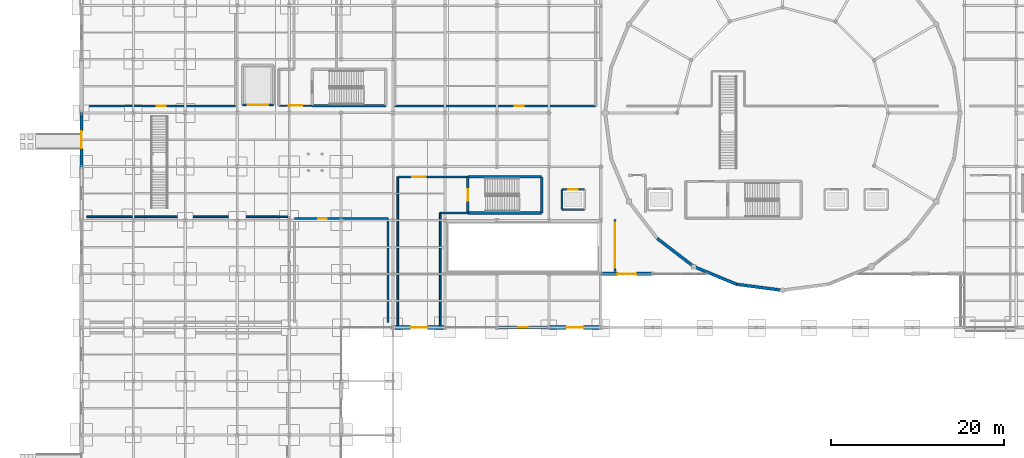
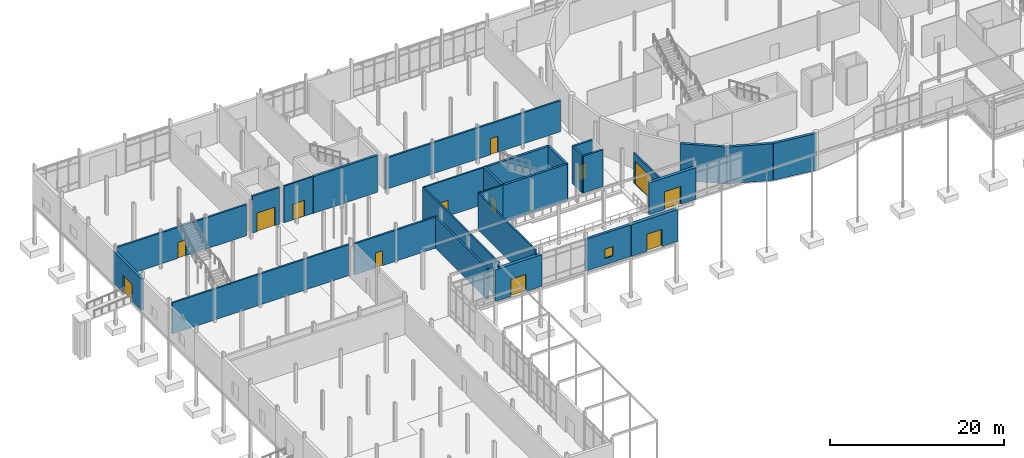
# One storey, part 68 of 98: 28 walls, 13 doors, 1 window, 14 openings.
"""IFC4 building model written with IfcOpenShell, lengths in metres."""

from ifc_helpers import new_model, si_unit, direction, frame, frame_2d, origin, place, context, subcontext, project, spatial, rectangle, extrude, material, layer, layer_set, type_object, element, fill, save


model = new_model("IFC4")

# Units and contexts
model_context = context("Model", 3, precision=1e-05, world=origin(), true_north=direction((0.0, 1.0)))
body_context = subcontext(model_context, "Body", "Model", "MODEL_VIEW")
ifc_project = project(units=[si_unit("LENGTHUNIT", "METRE"), si_unit("AREAUNIT", "SQUARE_METRE"), si_unit("VOLUMEUNIT", "CUBIC_METRE"), si_unit("PLANEANGLEUNIT", "RADIAN"), si_unit("MASSUNIT", "GRAM", prefix="KILO")], contexts=[model_context])

# Site, building, storey
site_placement = place(None, origin())
site = spatial("IfcSite", under=ifc_project, at=site_placement, CompositionType="ELEMENT")
building_placement = place(site_placement, origin())
building = spatial("IfcBuilding", under=site, at=building_placement, Name="Mirzam Square Science Centre", CompositionType="ELEMENT")
storey_placement = place(building_placement, origin())
storey = spatial("IfcBuildingStorey", under=building, at=storey_placement, Name="L00", CompositionType="ELEMENT", Elevation=0.0)

# Walls
ifc_material_1 = material(Name="Concrete C45/55", Category="concrete")
ifc_layer_1 = layer(ifc_material_1, 0.300048828125)
ifc_layer_set_1 = layer_set([ifc_layer_1], Name="W-CORE-300")
wall_type_1 = type_object("IfcWallType", Name="W-CORE-300", PredefinedType="SHEAR", material=ifc_layer_set_1)
for number, where, z_axis, x_axis, name in (
    (1, (44.639892578125, 50.43994140625, 0.0), (0.0, 0.0, 1.0), (1.0, 0.0, 0.0), "L00 CORE-1 south wall"),
    (2, (53.159912109375, 54.610107421875, 0.0), (0.0, 0.0, 1.0), (-1.0, 0.0, 0.0), "L00 CORE-1 north wall"),
):
    element("IfcWall", number, at=place(storey_placement, frame(where, z_axis=z_axis, x_axis=x_axis)), inside=storey, type_object=wall_type_1, Name=name, PredefinedType="SHEAR", context=body_context, shape_type="SweptSolid", body=[
        extrude(rectangle(XDim=8.52001953125, YDim=0.300048828125, at=frame_2d((4.260009765625, 0.0))), origin(), (0.0, 0.0, 1.0), 5.14990234375),
    ])

# Wall, opening, door
wall_1_placement = place(storey_placement, frame((44.639892578125, 54.610107421875, 0.0), z_axis=(0.0, 0.0, 1.0), x_axis=(0.0, -1.0, 0.0)))
wall_1 = element("IfcWall", 3, at=wall_1_placement, inside=storey, type_object=wall_type_1, Name="L00 CORE-1 west wall", PredefinedType="SHEAR", context=body_context, shape_type="SweptSolid", body=[
    extrude(rectangle(XDim=4.170166015625, YDim=0.300048828125, at=frame_2d((2.0849609375, 0.0))), origin(), (0.0, 0.0, 1.0), 5.14990234375),
])
opening_1_placement = place(wall_1_placement, frame((1.409912109375, 0.0, 0.0)))
opening_1 = element("IfcOpeningElement", 4, at=opening_1_placement, cuts=wall_1, Name="Opening DS-01", PredefinedType="OPENING", context=body_context, shape_type="SweptSolid", body=[
    extrude(rectangle(XDim=1.35009765625, YDim=2.199951171875, at=frame_2d((0.675048828125, 1.10009765625))), frame((0.0, 0.159912109375, 0.0), z_axis=(0.0, -1.0, 0.0), x_axis=(1.0, 0.0, 0.0)), (0.0, 0.0, 1.0), 0.320068359375),
])
ifc_material_2 = material(Name="Fire-Rated Powder-Coated Architectural Steel Door", Category="steel")
door_type_1 = type_object("IfcDoorType", Name="DR-STAIR-1350x2200", OperationType="NOTDEFINED", PredefinedType="DOOR", material=ifc_material_2)
door_1_placement = place(opening_1_placement, origin())
door_1 = element("IfcDoor", 5, at=door_1_placement, inside=storey, type_object=door_type_1, Name="DRS-1-L00", OperationType="SINGLE_SWING_RIGHT", OverallHeight=2.199951171875, OverallWidth=1.35009765625, PredefinedType="DOOR", context=body_context, shape_type="SweptSolid", body=[
    extrude(rectangle(XDim=1.35009765625, YDim=2.199951171875, at=frame_2d((0.675048828125, 1.10009765625))), frame((0.0, 0.02490234375, 0.0), z_axis=(0.0, -1.0, 0.0), x_axis=(1.0, 0.0, 0.0)), (0.0, 0.0, 1.0), 0.050048828125),
])
fill(opening_1, door_1)

# Walls
wall_2_placement = place(storey_placement, frame((53.159912109375, 50.43994140625, 0.0), z_axis=(0.0, 0.0, 1.0), x_axis=(0.0, 1.0, 0.0)))
element("IfcWall", 6, at=wall_2_placement, inside=storey, type_object=wall_type_1, Name="L00 CORE-1 east wall", PredefinedType="SHEAR", context=body_context, shape_type="SweptSolid", body=[
    extrude(rectangle(XDim=4.170166015625, YDim=0.300048828125, at=frame_2d((2.0849609375, 0.0))), origin(), (0.0, 0.0, 1.0), 5.14990234375),
])
wall_3_placement = place(storey_placement, frame((26.639892578125, 62.840087890625, 0.0), z_axis=(0.0, 0.0, 1.0), x_axis=(1.0, 0.0, 0.0)))
element("IfcWall", 7, at=wall_3_placement, inside=storey, type_object=wall_type_1, Name="L00 CORE-2 south wall", PredefinedType="SHEAR", context=body_context, shape_type="SweptSolid", body=[
    extrude(rectangle(XDim=8.52001953125, YDim=0.300048828125, at=frame_2d((4.260009765625, 0.0))), origin(), (0.0, 0.0, 1.0), 5.14990234375),
])
ifc_layer_2 = layer(ifc_material_1, 0.35009765625)
ifc_layer_set_2 = layer_set([ifc_layer_2], Name="W-DRUM-350")
wall_type_2 = type_object("IfcWallType", Name="W-DRUM-350", PredefinedType="SHEAR", material=ifc_layer_set_2)
for number, where, z_axis, x_axis, name in (
    (8, (66.50439453125, 47.50439453125, 0.0), (0.0, 0.0, 1.0), (0.793349293227, -0.60876670321, 0.0), "L00 planetarium drum wall 16"),
    (9, (70.75, 44.24658203125, 0.0), (0.0, 0.0, 1.0), (0.923867255172, -0.382713071139, 0.0), "L00 planetarium drum wall 17"),
):
    element("IfcWall", number, at=place(storey_placement, frame(where, z_axis=z_axis, x_axis=x_axis)), inside=storey, type_object=wall_type_2, Name=name, PredefinedType="SHEAR", context=body_context, shape_type="SweptSolid", body=[
        extrude(rectangle(XDim=5.3515625, YDim=0.35009765625, at=frame_2d((2.67578125, 0.0))), origin(), (0.0, 0.0, 1.0), 5.14990234375),
    ])
wall_4_placement = place(storey_placement, frame((75.694091796875, 42.198486328125, 0.0), z_axis=(0.0, 0.0, 1.0), x_axis=(0.991446064069, -0.130517056518, 0.0)))
element("IfcWall", 10, at=wall_4_placement, inside=storey, type_object=wall_type_2, Name="L00 planetarium drum wall 18", PredefinedType="SHEAR", context=body_context, shape_type="SweptSolid", body=[
    extrude(rectangle(XDim=5.351806640625, YDim=0.35009765625, at=frame_2d((2.67578125, 0.0))), origin(), (0.0, 0.0, 1.0), 5.14990234375),
])

# Wall, opening, door
ifc_material_3 = material(Name="Honed Qatari Limestone Concrete C40/50", Category="masonry")
ifc_layer_3 = layer(ifc_material_3, 0.39990234375)
ifc_layer_set_3 = layer_set([ifc_layer_3], Name="W-EXT-LIME-400")
wall_type_3 = type_object("IfcWallType", Name="W-EXT-LIME-400", PredefinedType="SOLIDWALL", material=ifc_layer_set_3)
wall_5_placement = place(storey_placement, frame((59.925048828125, 43.39990234375, 0.0), z_axis=(0.0, 0.0, 1.0), x_axis=(1.0, 0.0, 0.0)))
wall_5 = element("IfcWall", 11, at=wall_5_placement, inside=storey, type_object=wall_type_3, Name="L00 external wall EW-LNK-S-L00-W1", PredefinedType="SOLIDWALL", context=body_context, shape_type="SweptSolid", body=[
    extrude(rectangle(XDim=6.14990234375, YDim=0.39990234375, at=frame_2d((3.074951171875, 0.0))), origin(), (0.0, 0.0, 1.0), 4.43994140625),
])
opening_2_placement = place(wall_5_placement, frame((1.97509765625, 0.0, 0.0)))
opening_2 = element("IfcOpeningElement", 12, at=opening_2_placement, cuts=wall_5, Name="Opening ED-04", PredefinedType="OPENING", context=body_context, shape_type="SweptSolid", body=[
    extrude(rectangle(XDim=2.199951171875, YDim=2.5, at=frame_2d((1.10009765625, 1.25))), frame((0.0, 0.2099609375, 0.0), z_axis=(0.0, -1.0, 0.0), x_axis=(1.0, 0.0, 0.0)), (0.0, 0.0, 1.0), 0.419921875),
])
ifc_material_4 = material(Name="Thermally Broken Bronze-Anodised Aluminium and Laminated Glass", Category="aluminium")
door_type_2 = type_object("IfcDoorType", Name="DR-EXT-2200x2500", OperationType="DOUBLE_DOOR_SINGLE_SWING", PredefinedType="DOOR", material=ifc_material_4)
door_2_placement = place(opening_2_placement, frame((2.199951171875, 0.0, 0.0), z_axis=(0.0, 0.0, 1.0), x_axis=(-1.0, 0.0, 0.0)))
door_2 = element("IfcDoor", 13, at=door_2_placement, inside=storey, type_object=door_type_2, Name="ED-L00-012", OperationType="DOUBLE_DOOR_SINGLE_SWING", OverallHeight=2.5, OverallWidth=2.199951171875, PredefinedType="DOOR", context=body_context, shape_type="SweptSolid", body=[
    extrude(rectangle(XDim=2.199951171875, YDim=2.5, at=frame_2d((1.10009765625, 1.25))), frame((0.0, 0.02490234375, 0.0), z_axis=(0.0, -1.0, 0.0), x_axis=(1.0, 0.0, 0.0)), (0.0, 0.0, 1.0), 0.050048828125),
])
fill(opening_2, door_2)

ifc_layer_4 = layer(ifc_material_3, 0.449951171875)
ifc_layer_set_4 = layer_set([ifc_layer_4], Name="W-EXT-LIME-450")
wall_type_4 = type_object("IfcWallType", Name="W-EXT-LIME-450", PredefinedType="SOLIDWALL", material=ifc_layer_set_4)
wall_6_placement = place(storey_placement, frame((35.925048828125, 37.199951171875, 0.0), z_axis=(0.0, 0.0, 1.0), x_axis=(1.0, 0.0, 0.0)))
wall_6 = element("IfcWall", 14, at=wall_6_placement, inside=storey, type_object=wall_type_4, Name="L00 external wall EW-WDG-S-L00-07", PredefinedType="SOLIDWALL", context=body_context, shape_type="SweptSolid", body=[
    extrude(rectangle(XDim=6.14990234375, YDim=0.449951171875, at=frame_2d((3.074951171875, 0.0))), origin(), (0.0, 0.0, 1.0), 4.43994140625),
])
opening_3_placement = place(wall_6_placement, frame((2.074951171875, 0.0, 0.0)))
opening_3 = element("IfcOpeningElement", 15, at=opening_3_placement, cuts=wall_6, Name="Opening ED-01", PredefinedType="OPENING", context=body_context, shape_type="SweptSolid", body=[
    extrude(rectangle(XDim=2.0, YDim=2.39990234375, at=frame_2d((1.0, 1.199951171875))), frame((0.0, 0.23486328125, 0.0), z_axis=(0.0, -1.0, 0.0), x_axis=(1.0, 0.0, 0.0)), (0.0, 0.0, 1.0), 0.469970703125),
])
door_type_3 = type_object("IfcDoorType", Name="DR-EXT-2000x2400", OperationType="DOUBLE_DOOR_SINGLE_SWING", PredefinedType="DOOR", material=ifc_material_4)
door_3_placement = place(opening_3_placement, frame((2.0, 0.0, 0.0), z_axis=(0.0, 0.0, 1.0), x_axis=(-1.0, 0.0, 0.0)))
door_3 = element("IfcDoor", 16, at=door_3_placement, inside=storey, type_object=door_type_3, Name="ED-L00-004", OperationType="DOUBLE_DOOR_SINGLE_SWING", OverallHeight=2.39990234375, OverallWidth=2.0, PredefinedType="DOOR", context=body_context, shape_type="SweptSolid", body=[
    extrude(rectangle(XDim=2.0, YDim=2.39990234375, at=frame_2d((1.0, 1.199951171875))), frame((0.0, 0.02490234375, 0.0), z_axis=(0.0, -1.0, 0.0), x_axis=(1.0, 0.0, 0.0)), (0.0, 0.0, 1.0), 0.050048828125),
])
fill(opening_3, door_3)

wall_7_placement = place(storey_placement, frame((53.925048828125, 37.199951171875, 0.0), z_axis=(0.0, 0.0, 1.0), x_axis=(1.0, 0.0, 0.0)))
wall_7 = element("IfcWall", 17, at=wall_7_placement, inside=storey, type_object=wall_type_4, Name="L00 external wall EW-WDG-S-L00-10", PredefinedType="SOLIDWALL", context=body_context, shape_type="SweptSolid", body=[
    extrude(rectangle(XDim=6.14990234375, YDim=0.449951171875, at=frame_2d((3.074951171875, 0.0))), origin(), (0.0, 0.0, 1.0), 4.43994140625),
])
opening_4_placement = place(wall_7_placement, frame((2.074951171875, 0.0, 0.0)))
opening_4 = element("IfcOpeningElement", 18, at=opening_4_placement, cuts=wall_7, Name="Opening ED-01", PredefinedType="OPENING", context=body_context, shape_type="SweptSolid", body=[
    extrude(rectangle(XDim=2.0, YDim=2.39990234375, at=frame_2d((1.0, 1.199951171875))), frame((0.0, 0.23486328125, 0.0), z_axis=(0.0, -1.0, 0.0), x_axis=(1.0, 0.0, 0.0)), (0.0, 0.0, 1.0), 0.469970703125),
])
door_4_placement = place(opening_4_placement, frame((2.0, 0.0, 0.0), z_axis=(0.0, 0.0, 1.0), x_axis=(-1.0, 0.0, 0.0)))
door_4 = element("IfcDoor", 19, at=door_4_placement, inside=storey, type_object=door_type_3, Name="ED-L00-005", OperationType="DOUBLE_DOOR_SINGLE_SWING", OverallHeight=2.39990234375, OverallWidth=2.0, PredefinedType="DOOR", context=body_context, shape_type="SweptSolid", body=[
    extrude(rectangle(XDim=2.0, YDim=2.39990234375, at=frame_2d((1.0, 1.199951171875))), frame((0.0, 0.02490234375, 0.0), z_axis=(0.0, -1.0, 0.0), x_axis=(1.0, 0.0, 0.0)), (0.0, 0.0, 1.0), 0.050048828125),
])
fill(opening_4, door_4)

# Wall, opening, window
ifc_material_5 = material(Name="Standing-Seam Zinc-Clad Concrete Backup C40/50", Category="concrete")
ifc_layer_5 = layer(ifc_material_5, 0.330078125)
ifc_layer_set_5 = layer_set([ifc_layer_5], Name="W-EXT-METAL-330")
wall_type_5 = type_object("IfcWallType", Name="W-EXT-METAL-330", PredefinedType="SOLIDWALL", material=ifc_layer_set_5)
wall_8_placement = place(storey_placement, frame((47.925048828125, 37.199951171875, 0.0), z_axis=(0.0, 0.0, 1.0), x_axis=(1.0, 0.0, 0.0)))
wall_8 = element("IfcWall", 20, at=wall_8_placement, inside=storey, type_object=wall_type_5, Name="L00 external wall EW-WDG-S-L00-09", PredefinedType="SOLIDWALL", context=body_context, shape_type="SweptSolid", body=[
    extrude(rectangle(XDim=6.14990234375, YDim=0.330078125, at=frame_2d((3.074951171875, 0.0))), origin(), (0.0, 0.0, 1.0), 4.43994140625),
])
opening_5_placement = place(wall_8_placement, frame((2.52490234375, 0.0, 0.89990234375)))
opening_5 = element("IfcOpeningElement", 21, at=opening_5_placement, cuts=wall_8, Name="Opening W-01", PredefinedType="OPENING", context=body_context, shape_type="SweptSolid", body=[
    extrude(rectangle(XDim=1.10009765625, YDim=1.300048828125, at=frame_2d((0.550048828125, 0.64990234375))), frame((0.0, 0.175048828125, 0.0), z_axis=(0.0, -1.0, 0.0), x_axis=(1.0, 0.0, 0.0)), (0.0, 0.0, 1.0), 0.35009765625),
])
ifc_material_6 = material(Name="Thermally Broken Bronze Aluminium and Low-E Glass", Category="aluminium")
window_type = type_object("IfcWindowType", Name="WIN-1100x1300", PartitioningType="SINGLE_PANEL", PredefinedType="WINDOW", material=ifc_material_6)
window_placement = place(opening_5_placement, origin())
window = element("IfcWindow", 22, at=window_placement, inside=storey, type_object=window_type, Name="L00 solar window 001", OverallHeight=1.300048828125, OverallWidth=1.10009765625, PartitioningType="SINGLE_PANEL", PredefinedType="WINDOW", context=body_context, shape_type="SweptSolid", body=[
    extrude(rectangle(XDim=1.10009765625, YDim=1.300048828125, at=frame_2d((0.550048828125, 0.64990234375))), frame((0.0, 0.030029296875, 0.0), z_axis=(0.0, -1.0, 0.0), x_axis=(1.0, 0.0, 0.0)), (0.0, 0.0, 1.0), 0.06005859375),
])
fill(opening_5, window)

# Wall, opening, door
ifc_layer_6 = layer(ifc_material_5, 0.35009765625)
ifc_layer_set_6 = layer_set([ifc_layer_6], Name="W-EXT-METAL-350")
wall_type_6 = type_object("IfcWallType", Name="W-EXT-METAL-350", PredefinedType="SOLIDWALL", material=ifc_layer_set_6)
wall_9_placement = place(storey_placement, frame((0.0, 62.074951171875, 0.0), z_axis=(0.0, 0.0, 1.0), x_axis=(0.0, -1.0, 0.0)))
wall_9 = element("IfcWall", 23, at=wall_9_placement, inside=storey, type_object=wall_type_6, Name="L00 external wall EW-WDG-W-L00-10", PredefinedType="SOLIDWALL", context=body_context, shape_type="SweptSolid", body=[
    extrude(rectangle(XDim=6.349853515625, YDim=0.35009765625, at=frame_2d((3.1748046875, 0.0))), origin(), (0.0, 0.0, 1.0), 4.43994140625),
])
opening_6_placement = place(wall_9_placement, frame((2.175048828125, 0.0, 0.0)))
opening_6 = element("IfcOpeningElement", 24, at=opening_6_placement, cuts=wall_9, Name="Opening ED-01", PredefinedType="OPENING", context=body_context, shape_type="SweptSolid", body=[
    extrude(rectangle(XDim=2.0, YDim=2.39990234375, at=frame_2d((1.0, 1.199951171875))), frame((0.0, 0.18505859375, 0.0), z_axis=(0.0, -1.0, 0.0), x_axis=(1.0, 0.0, 0.0)), (0.0, 0.0, 1.0), 0.3701171875),
])
door_5_placement = place(opening_6_placement, frame((2.0, 0.0, 0.0), z_axis=(0.0, 0.0, 1.0), x_axis=(-1.0, 0.0, 0.0)))
door_5 = element("IfcDoor", 25, at=door_5_placement, inside=storey, type_object=door_type_3, Name="ED-L00-006", OperationType="DOUBLE_DOOR_SINGLE_SWING", OverallHeight=2.39990234375, OverallWidth=2.0, PredefinedType="DOOR", context=body_context, shape_type="SweptSolid", body=[
    extrude(rectangle(XDim=2.0, YDim=2.39990234375, at=frame_2d((1.0, 1.199951171875))), frame((0.0, 0.02490234375, 0.0), z_axis=(0.0, -1.0, 0.0), x_axis=(1.0, 0.0, 0.0)), (0.0, 0.0, 1.0), 0.050048828125),
])
fill(opening_6, door_5)

ifc_layer_7 = layer(ifc_material_1, 0.199951171875)
ifc_layer_set_7 = layer_set([ifc_layer_7], Name="W-LOBBY-200")
wall_type_7 = type_object("IfcWallType", Name="W-LOBBY-200", PredefinedType="SHEAR", material=ifc_layer_set_7)
wall_10_placement = place(storey_placement, frame((44.639892578125, 54.610107421875, 0.0), z_axis=(0.0, 0.0, 1.0), x_axis=(-1.0, 0.0, 0.0)))
wall_10 = element("IfcWall", 26, at=wall_10_placement, inside=storey, type_object=wall_type_7, Name="L00 CORE-1 lobby north wall", PredefinedType="SHEAR", context=body_context, shape_type="SweptSolid", body=[
    extrude(rectangle(XDim=8.08984375, YDim=0.199951171875, at=frame_2d((4.044921875, 0.0))), origin(), (0.0, 0.0, 1.0), 5.14990234375),
])
opening_7_placement = place(wall_10_placement, frame((4.864990234375, 0.0, 0.0)))
opening_7 = element("IfcOpeningElement", 27, at=opening_7_placement, cuts=wall_10, Name="Opening DL-01", PredefinedType="OPENING", context=body_context, shape_type="SweptSolid", body=[
    extrude(rectangle(XDim=1.550048828125, YDim=2.199951171875, at=frame_2d((0.77490234375, 1.10009765625))), frame((0.0, 0.10986328125, 0.0), z_axis=(0.0, -1.0, 0.0), x_axis=(1.0, 0.0, 0.0)), (0.0, 0.0, 1.0), 0.219970703125),
])
ifc_material_7 = material(Name="Fire-Rated Glazed Architectural Steel Lobby Door", Category="steel")
door_type_4 = type_object("IfcDoorType", Name="DR-LOBBY-1550x2200", OperationType="DOUBLE_DOOR_SINGLE_SWING", PredefinedType="DOOR", material=ifc_material_7)
door_6_placement = place(opening_7_placement, origin())
door_6 = element("IfcDoor", 28, at=door_6_placement, inside=storey, type_object=door_type_4, Name="DRL-1-L00", OperationType="SINGLE_SWING_LEFT", OverallHeight=2.199951171875, OverallWidth=1.550048828125, PredefinedType="DOOR", context=body_context, shape_type="SweptSolid", body=[
    extrude(rectangle(XDim=1.550048828125, YDim=2.199951171875, at=frame_2d((0.77490234375, 1.10009765625))), frame((0.0, 0.02490234375, 0.0), z_axis=(0.0, -1.0, 0.0), x_axis=(1.0, 0.0, 0.0)), (0.0, 0.0, 1.0), 0.050048828125),
])
fill(opening_7, door_6)

# Walls
wall_11_placement = place(storey_placement, frame((41.449951171875, 50.43994140625, 0.0), z_axis=(0.0, 0.0, 1.0), x_axis=(1.0, 0.0, 0.0)))
element("IfcWall", 29, at=wall_11_placement, inside=storey, type_object=wall_type_7, Name="L00 CORE-1 lobby south wall", PredefinedType="SHEAR", context=body_context, shape_type="SweptSolid", body=[
    extrude(rectangle(XDim=3.18994140625, YDim=0.199951171875, at=frame_2d((1.594970703125, 0.0))), origin(), (0.0, 0.0, 1.0), 5.14990234375),
])
wall_12_placement = place(storey_placement, frame((36.550048828125, 54.610107421875, 0.0), z_axis=(0.0, 0.0, 1.0), x_axis=(0.0, -1.0, 0.0)))
element("IfcWall", 30, at=wall_12_placement, inside=storey, type_object=wall_type_7, Name="L00 CORE-1 exit passage west wall", PredefinedType="SHEAR", context=body_context, shape_type="SweptSolid", body=[
    extrude(rectangle(XDim=17.360107421875, YDim=0.199951171875, at=frame_2d((8.68017578125, 0.0))), origin(), (0.0, 0.0, 1.0), 5.14990234375),
])
wall_13_placement = place(storey_placement, frame((41.449951171875, 37.25, 0.0), z_axis=(0.0, 0.0, 1.0), x_axis=(0.0, 1.0, 0.0)))
element("IfcWall", 31, at=wall_13_placement, inside=storey, type_object=wall_type_7, Name="L00 CORE-1 exit passage east wall", PredefinedType="SHEAR", context=body_context, shape_type="SweptSolid", body=[
    extrude(rectangle(XDim=13.18994140625, YDim=0.199951171875, at=frame_2d((6.594970703125, 0.0))), origin(), (0.0, 0.0, 1.0), 5.14990234375),
])

# Wall, opening, door
wall_14_placement = place(storey_placement, frame((22.800048828125, 62.840087890625, 0.0), z_axis=(0.0, 0.0, 1.0), x_axis=(1.0, 0.0, 0.0)))
wall_14 = element("IfcWall", 32, at=wall_14_placement, inside=storey, type_object=wall_type_7, Name="L00 CORE-2 lobby south wall", PredefinedType="SHEAR", context=body_context, shape_type="SweptSolid", body=[
    extrude(rectangle(XDim=3.83984375, YDim=0.199951171875, at=frame_2d((1.919921875, 0.0))), origin(), (0.0, 0.0, 1.0), 5.14990234375),
])
opening_8_placement = place(wall_14_placement, frame((1.14501953125, 0.0, 0.0)))
opening_8 = element("IfcOpeningElement", 33, at=opening_8_placement, cuts=wall_14, Name="Opening DL-01", PredefinedType="OPENING", context=body_context, shape_type="SweptSolid", body=[
    extrude(rectangle(XDim=1.550048828125, YDim=2.199951171875, at=frame_2d((0.77490234375, 1.10009765625))), frame((0.0, 0.10986328125, 0.0), z_axis=(0.0, -1.0, 0.0), x_axis=(1.0, 0.0, 0.0)), (0.0, 0.0, 1.0), 0.219970703125),
])
door_7_placement = place(opening_8_placement, origin())
door_7 = element("IfcDoor", 34, at=door_7_placement, inside=storey, type_object=door_type_4, Name="DRL-2-L00", OperationType="SINGLE_SWING_LEFT", OverallHeight=2.199951171875, OverallWidth=1.550048828125, PredefinedType="DOOR", context=body_context, shape_type="SweptSolid", body=[
    extrude(rectangle(XDim=1.550048828125, YDim=2.199951171875, at=frame_2d((0.77490234375, 1.10009765625))), frame((0.0, 0.02490234375, 0.0), z_axis=(0.0, -1.0, 0.0), x_axis=(1.0, 0.0, 0.0)), (0.0, 0.0, 1.0), 0.050048828125),
])
fill(opening_8, door_7)

wall_15_placement = place(storey_placement, frame((61.64990234375, 43.699951171875, 0.0), z_axis=(0.0, 0.0, 1.0), x_axis=(0.0, 1.0, 0.0)))
wall_15 = element("IfcWall", 35, at=wall_15_placement, inside=storey, type_object=wall_type_7, Name="L00 vehicle ramp security portal wall", PredefinedType="SHEAR", context=body_context, shape_type="SweptSolid", body=[
    extrude(rectangle(XDim=6.0, YDim=0.199951171875, at=frame_2d((3.0, 0.0))), origin(), (0.0, 0.0, 1.0), 4.199951171875),
])
opening_9_placement = place(wall_15_placement, frame((0.39990234375, 0.0, 0.0)))
opening_9 = element("IfcOpeningElement", 36, at=opening_9_placement, cuts=wall_15, Name="Opening GT-02", PredefinedType="OPENING", context=body_context, shape_type="SweptSolid", body=[
    extrude(rectangle(XDim=5.199951171875, YDim=3.199951171875, at=frame_2d((2.60009765625, 1.60009765625))), frame((0.0, 0.10986328125, 0.0), z_axis=(0.0, -1.0, 0.0), x_axis=(1.0, 0.0, 0.0)), (0.0, 0.0, 1.0), 0.219970703125),
])
ifc_material_8 = material(Name="Insulated Galvanised Steel Roller Shutter", Category="steel")
door_type_5 = type_object("IfcDoorType", Name="DR-VEH-5200x3200", OperationType="ROLLINGUP", PredefinedType="GATE", material=ifc_material_8)
door_8_placement = place(opening_9_placement, origin())
door_8 = element("IfcDoor", 37, at=door_8_placement, inside=storey, type_object=door_type_5, Name="GT-VRAMP-L00", OperationType="ROLLINGUP", OverallHeight=3.199951171875, OverallWidth=5.199951171875, PredefinedType="GATE", context=body_context, shape_type="SweptSolid", body=[
    extrude(rectangle(XDim=5.199951171875, YDim=3.199951171875, at=frame_2d((2.60009765625, 1.60009765625))), frame((0.0, 0.02490234375, 0.0), z_axis=(0.0, -1.0, 0.0), x_axis=(1.0, 0.0, 0.0)), (0.0, 0.0, 1.0), 0.050048828125),
])
fill(opening_9, door_8)

# Wall
ifc_material_9 = material(Name="Chemical Prep Fire Partition Concrete C30/37", Category="concrete")
ifc_layer_8 = layer(ifc_material_9, 0.215087890625)
ifc_layer_set_8 = layer_set([ifc_layer_8], Name="W-PART-215")
wall_type_8 = type_object("IfcWallType", Name="W-PART-215", PredefinedType="PARTITIONING", material=ifc_layer_set_8)
wall_16_placement = place(storey_placement, frame((0.60009765625, 50.0, 0.0), z_axis=(0.0, 0.0, 1.0), x_axis=(1.0, 0.0, 0.0)))
element("IfcWall", 38, at=wall_16_placement, inside=storey, type_object=wall_type_8, Name="L00 Physical Sciences Exhibition Hall 1 partition 53", PredefinedType="PARTITIONING", context=body_context, shape_type="SweptSolid", body=[
    extrude(rectangle(XDim=23.39990234375, YDim=0.215087890625, at=frame_2d((11.699951171875, 0.0))), origin(), (0.0, 0.0, 1.0), 4.35009765625),
])

# Wall, opening, door
ifc_material_10 = material(Name="Gallery Display Backing Wall Concrete C30/37", Category="concrete")
ifc_layer_9 = layer(ifc_material_10, 0.22998046875)
ifc_layer_set_9 = layer_set([ifc_layer_9], Name="W-PART-230")
wall_type_9 = type_object("IfcWallType", Name="W-PART-230", PredefinedType="PARTITIONING", material=ifc_layer_set_9)
wall_17_placement = place(storey_placement, frame((59.39990234375, 62.800048828125, 0.0), z_axis=(0.0, 0.0, 1.0), x_axis=(-1.0, 0.0, 0.0)))
wall_17 = element("IfcWall", 39, at=wall_17_placement, inside=storey, type_object=wall_type_9, Name="L00 Energy and Climate Exhibition Hall 2 partition 57", PredefinedType="PARTITIONING", context=body_context, shape_type="SweptSolid", body=[
    extrude(rectangle(XDim=23.199951171875, YDim=0.22998046875, at=frame_2d((11.60009765625, 0.0))), origin(), (0.0, 0.0, 1.0), 4.35009765625),
])
opening_10_placement = place(wall_17_placement, frame((8.31591796875, 0.0, 0.0)))
opening_10 = element("IfcOpeningElement", 40, at=opening_10_placement, cuts=wall_17, Name="Opening D-15", PredefinedType="OPENING", context=body_context, shape_type="SweptSolid", body=[
    extrude(rectangle(XDim=1.0, YDim=2.25, at=frame_2d((0.5, 1.125))), frame((0.0, 0.125, 0.0), z_axis=(0.0, -1.0, 0.0), x_axis=(1.0, 0.0, 0.0)), (0.0, 0.0, 1.0), 0.25),
])
ifc_material_11 = material(Name="Solid Core Acoustic Oak Timber Door", Category="wood")
door_type_6 = type_object("IfcDoorType", Name="DR-INT-1000x2250", OperationType="NOTDEFINED", PredefinedType="DOOR", material=ifc_material_11)
door_9_placement = place(opening_10_placement, origin())
door_9 = element("IfcDoor", 41, at=door_9_placement, inside=storey, type_object=door_type_6, Name="ID-L00-0014", OperationType="SINGLE_SWING_LEFT", OverallHeight=2.25, OverallWidth=1.0, PredefinedType="DOOR", context=body_context, shape_type="SweptSolid", body=[
    extrude(rectangle(XDim=1.0, YDim=2.25, at=frame_2d((0.5, 1.125))), frame((0.0, 0.02490234375, 0.0), z_axis=(0.0, -1.0, 0.0), x_axis=(1.0, 0.0, 0.0)), (0.0, 0.0, 1.0), 0.050048828125),
])
fill(opening_10, door_9)

ifc_material_12 = material(Name="Plant Acoustic Barrier Wall Concrete C35/45", Category="concrete")
ifc_layer_10 = layer(ifc_material_12, 0.2451171875)
ifc_layer_set_10 = layer_set([ifc_layer_10], Name="W-PART-245")
wall_type_10 = type_object("IfcWallType", Name="W-PART-245", PredefinedType="PARTITIONING", material=ifc_layer_set_10)
wall_18_placement = place(storey_placement, frame((17.800048828125, 62.800048828125, 0.0), z_axis=(0.0, 0.0, 1.0), x_axis=(-1.0, 0.0, 0.0)))
wall_18 = element("IfcWall", 42, at=wall_18_placement, inside=storey, type_object=wall_type_10, Name="L00 Enclosed HGV Exhibit Loading Dock partition 60", PredefinedType="PARTITIONING", context=body_context, shape_type="SweptSolid", body=[
    extrude(rectangle(XDim=17.199951171875, YDim=0.2451171875, at=frame_2d((8.60009765625, 0.0))), origin(), (0.0, 0.0, 1.0), 4.35009765625),
])
opening_11_placement = place(wall_18_placement, frame((8.074951171875, 0.0, 0.0)))
opening_11 = element("IfcOpeningElement", 43, at=opening_11_placement, cuts=wall_18, Name="Opening D-16", PredefinedType="OPENING", context=body_context, shape_type="SweptSolid", body=[
    extrude(rectangle(XDim=1.050048828125, YDim=2.25, at=frame_2d((0.52490234375, 1.125))), frame((0.0, 0.132568359375, 0.0), z_axis=(0.0, -1.0, 0.0), x_axis=(1.0, 0.0, 0.0)), (0.0, 0.0, 1.0), 0.26513671875),
])
door_type_7 = type_object("IfcDoorType", Name="DR-INT-1050x2250", OperationType="NOTDEFINED", PredefinedType="DOOR", material=ifc_material_11)
door_10_placement = place(opening_11_placement, origin())
door_10 = element("IfcDoor", 44, at=door_10_placement, inside=storey, type_object=door_type_7, Name="ID-L00-0015", OperationType="SINGLE_SWING_RIGHT", OverallHeight=2.25, OverallWidth=1.050048828125, PredefinedType="DOOR", context=body_context, shape_type="SweptSolid", body=[
    extrude(rectangle(XDim=1.050048828125, YDim=2.25, at=frame_2d((0.52490234375, 1.125))), frame((0.0, 0.02490234375, 0.0), z_axis=(0.0, -1.0, 0.0), x_axis=(1.0, 0.0, 0.0)), (0.0, 0.0, 1.0), 0.050048828125),
])
fill(opening_11, door_10)

wall_19_placement = place(storey_placement, frame((24.60009765625, 49.800048828125, 0.0), z_axis=(0.0, 0.0, 1.0), x_axis=(1.0, 0.0, 0.0)))
wall_19 = element("IfcWall", 45, at=wall_19_placement, inside=storey, type_object=wall_type_10, Name="L00 Earth Sciences Specimen Preparation Laboratory partition 95", PredefinedType="PARTITIONING", context=body_context, shape_type="SweptSolid", body=[
    extrude(rectangle(XDim=10.7998046875, YDim=0.2451171875, at=frame_2d((5.39990234375, 0.0))), origin(), (0.0, 0.0, 1.0), 4.35009765625),
])
opening_12_placement = place(wall_19_placement, frame((2.764892578125, 0.0, 0.0)))
opening_12 = element("IfcOpeningElement", 46, at=opening_12_placement, cuts=wall_19, Name="Opening D-02", PredefinedType="OPENING", context=body_context, shape_type="SweptSolid", body=[
    extrude(rectangle(XDim=0.949951171875, YDim=2.10009765625, at=frame_2d((0.47509765625, 1.050048828125))), frame((0.0, 0.132568359375, 0.0), z_axis=(0.0, -1.0, 0.0), x_axis=(1.0, 0.0, 0.0)), (0.0, 0.0, 1.0), 0.26513671875),
])
door_type_8 = type_object("IfcDoorType", Name="DR-INT-950x2100", OperationType="NOTDEFINED", PredefinedType="DOOR", material=ifc_material_11)
door_11_placement = place(opening_12_placement, origin())
door_11 = element("IfcDoor", 47, at=door_11_placement, inside=storey, type_object=door_type_8, Name="ID-L00-0025", OperationType="SINGLE_SWING_RIGHT", OverallHeight=2.10009765625, OverallWidth=0.949951171875, PredefinedType="DOOR", context=body_context, shape_type="SweptSolid", body=[
    extrude(rectangle(XDim=0.949951171875, YDim=2.10009765625, at=frame_2d((0.47509765625, 1.050048828125))), frame((0.0, 0.02490234375, 0.0), z_axis=(0.0, -1.0, 0.0), x_axis=(1.0, 0.0, 0.0)), (0.0, 0.0, 1.0), 0.050048828125),
])
fill(opening_12, door_11)

# Walls
wall_20_placement = place(storey_placement, frame((35.39990234375, 49.800048828125, 0.0), z_axis=(0.0, 0.0, 1.0), x_axis=(0.0, -1.0, 0.0)))
element("IfcWall", 48, at=wall_20_placement, inside=storey, type_object=wall_type_10, Name="L00 Earth Sciences Specimen Preparation Laboratory partition 96", PredefinedType="PARTITIONING", context=body_context, shape_type="SweptSolid", body=[
    extrude(rectangle(XDim=12.0, YDim=0.2451171875, at=frame_2d((6.0, 0.0))), origin(), (0.0, 0.0, 1.0), 4.35009765625),
])
ifc_layer_11 = layer(ifc_material_1, 0.25)
ifc_layer_set_11 = layer_set([ifc_layer_11], Name="W-SHAFT-250")
wall_type_11 = type_object("IfcWallType", Name="W-SHAFT-250", PredefinedType="SHEAR", material=ifc_layer_set_11)
wall_21_placement = place(storey_placement, frame((55.5, 50.85009765625, 0.0), z_axis=(0.0, 0.0, 1.0), x_axis=(1.0, 0.0, 0.0)))
element("IfcWall", 49, at=wall_21_placement, inside=storey, type_object=wall_type_11, Name="L00 lift LP-04 shaft wall S", PredefinedType="SHEAR", context=body_context, shape_type="SweptSolid", body=[
    extrude(rectangle(XDim=2.60009765625, YDim=0.25, at=frame_2d((1.300048828125, 0.0))), origin(), (0.0, 0.0, 1.0), 5.14990234375),
])

# Wall, opening, door
wall_22_placement = place(storey_placement, frame((58.10009765625, 53.14990234375, 0.0), z_axis=(0.0, 0.0, 1.0), x_axis=(-1.0, 0.0, 0.0)))
wall_22 = element("IfcWall", 50, at=wall_22_placement, inside=storey, type_object=wall_type_11, Name="L00 lift LP-04 shaft wall N", PredefinedType="SHEAR", context=body_context, shape_type="SweptSolid", body=[
    extrude(rectangle(XDim=2.60009765625, YDim=0.25, at=frame_2d((1.300048828125, 0.0))), origin(), (0.0, 0.0, 1.0), 5.14990234375),
])
opening_13_placement = place(wall_22_placement, frame((0.75, 0.0, 0.0)))
opening_13 = element("IfcOpeningElement", 51, at=opening_13_placement, cuts=wall_22, Name="Opening LD-01", PredefinedType="OPENING", context=body_context, shape_type="SweptSolid", body=[
    extrude(rectangle(XDim=1.10009765625, YDim=2.14990234375, at=frame_2d((0.550048828125, 1.074951171875))), frame((0.0, 0.135009765625, 0.0), z_axis=(0.0, -1.0, 0.0), x_axis=(1.0, 0.0, 0.0)), (0.0, 0.0, 1.0), 0.27001953125),
])
ifc_material_13 = material(Name="Brushed Stainless Steel 316L Sliding Lift Door", Category="steel")
door_type_9 = type_object("IfcDoorType", Name="LD-PASS-1100x2150", OperationType="DOUBLE_DOOR_SLIDING", PredefinedType="DOOR", material=ifc_material_13)
door_12_placement = place(opening_13_placement, origin())
door_12 = element("IfcDoor", 52, at=door_12_placement, inside=storey, type_object=door_type_9, Name="LD-LP-04-L00", OperationType="DOUBLE_DOOR_SLIDING", OverallHeight=2.14990234375, OverallWidth=1.10009765625, PredefinedType="DOOR", context=body_context, shape_type="SweptSolid", body=[
    extrude(rectangle(XDim=1.10009765625, YDim=2.14990234375, at=frame_2d((0.550048828125, 1.074951171875))), frame((0.0, 0.02490234375, 0.0), z_axis=(0.0, -1.0, 0.0), x_axis=(1.0, 0.0, 0.0)), (0.0, 0.0, 1.0), 0.050048828125),
])
fill(opening_13, door_12)

# Wall
wall_23_placement = place(storey_placement, frame((55.5, 53.14990234375, 0.0), z_axis=(0.0, 0.0, 1.0), x_axis=(0.0, -1.0, 0.0)))
element("IfcWall", 53, at=wall_23_placement, inside=storey, type_object=wall_type_11, Name="L00 lift LP-04 shaft wall W", PredefinedType="SHEAR", context=body_context, shape_type="SweptSolid", body=[
    extrude(rectangle(XDim=2.2998046875, YDim=0.25, at=frame_2d((1.14990234375, 0.0))), origin(), (0.0, 0.0, 1.0), 5.14990234375),
])

# Wall, opening, door
wall_24_placement = place(storey_placement, frame((18.60009765625, 62.89990234375, 0.0), z_axis=(0.0, 0.0, 1.0), x_axis=(1.0, 0.0, 0.0)))
wall_24 = element("IfcWall", 54, at=wall_24_placement, inside=storey, type_object=wall_type_11, Name="L00 lift LG-01 shaft wall S", PredefinedType="SHEAR", context=body_context, shape_type="SweptSolid", body=[
    extrude(rectangle(XDim=3.599853515625, YDim=0.25, at=frame_2d((1.7998046875, 0.0))), origin(), (0.0, 0.0, 1.0), 5.14990234375),
])
opening_14_placement = place(wall_24_placement, frame((0.60009765625, 0.0, 0.0)))
opening_14 = element("IfcOpeningElement", 55, at=opening_14_placement, cuts=wall_24, Name="Opening LD-03", PredefinedType="OPENING", context=body_context, shape_type="SweptSolid", body=[
    extrude(rectangle(XDim=2.39990234375, YDim=2.60009765625, at=frame_2d((1.199951171875, 1.300048828125))), frame((0.0, 0.135009765625, 0.0), z_axis=(0.0, -1.0, 0.0), x_axis=(1.0, 0.0, 0.0)), (0.0, 0.0, 1.0), 0.27001953125),
])
ifc_material_14 = material(Name="Heavy-Duty Freight Stainless Steel Sliding Door", Category="steel")
door_type_10 = type_object("IfcDoorType", Name="LD-GOODS-2400x2600", OperationType="DOUBLE_DOOR_SLIDING", PredefinedType="DOOR", material=ifc_material_14)
door_13_placement = place(opening_14_placement, origin())
door_13 = element("IfcDoor", 56, at=door_13_placement, inside=storey, type_object=door_type_10, Name="LD-LG-01-L00", OperationType="DOUBLE_DOOR_SLIDING", OverallHeight=2.60009765625, OverallWidth=2.39990234375, PredefinedType="DOOR", context=body_context, shape_type="SweptSolid", body=[
    extrude(rectangle(XDim=2.39990234375, YDim=2.60009765625, at=frame_2d((1.199951171875, 1.300048828125))), frame((0.0, 0.02490234375, 0.0), z_axis=(0.0, -1.0, 0.0), x_axis=(1.0, 0.0, 0.0)), (0.0, 0.0, 1.0), 0.050048828125),
])
fill(opening_14, door_13)

save(model, "model.ifc")
